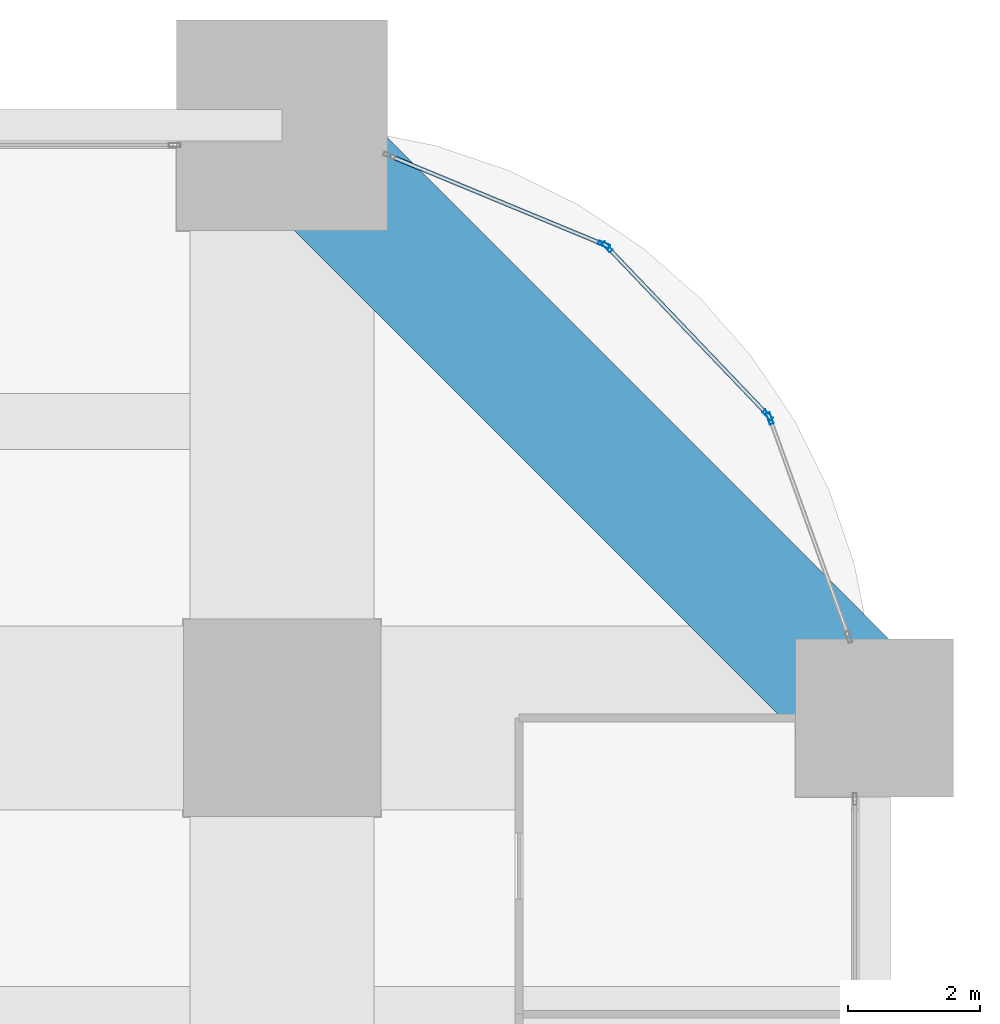
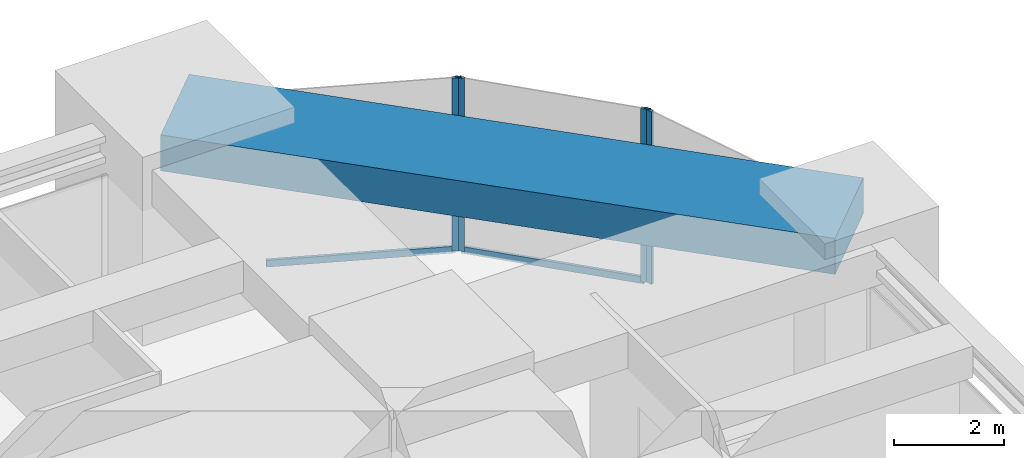
# One storey, part 36 of 42: 6 members, 1 beam, 3 elements without a shape of their own.
"""IFC4 building model written with IfcOpenShell, lengths in metres."""

from ifc_helpers import new_model, si_unit, direction, frame, origin, origin_2d, place, context, subcontext, project, spatial, rectangle, hollow_rectangle, extrude, material, material_profile, profile_set, type_object, element, aggregate, save


model = new_model("IFC4")

# Units and contexts
model_context = context("Model", 3, precision=1e-05, world=origin(), true_north=direction((0.0, 1.0)))
body_context = subcontext(model_context, "Body", "Model", "MODEL_VIEW")
ifc_project = project(units=[si_unit("LENGTHUNIT", "METRE"), si_unit("AREAUNIT", "SQUARE_METRE"), si_unit("VOLUMEUNIT", "CUBIC_METRE"), si_unit("PLANEANGLEUNIT", "RADIAN"), si_unit("MASSUNIT", "GRAM", prefix="KILO")], contexts=[model_context])

# Site, building, storey
site_placement = place(None, origin())
site = spatial("IfcSite", under=ifc_project, at=site_placement, CompositionType="ELEMENT")
building_placement = place(site_placement, origin())
building = spatial("IfcBuilding", under=site, at=building_placement, Name="Zorevar Civic Tower", CompositionType="ELEMENT")
storey_placement = place(building_placement, frame((0.0, 0.0, 75.800048828125)))
storey = spatial("IfcBuildingStorey", under=building, at=storey_placement, Name="L18", CompositionType="ELEMENT", Elevation=75.800048828125)

# Curtain wall, member
ifc_material_1 = material(Name="Dark grey solar-control glass in black aluminium frame", Category="aluminium")
curtain_wall_type = type_object("IfcCurtainWallType", Name="Curtain wall CW2 low zone", PredefinedType="NOTDEFINED", material=ifc_material_1)
curtain_wall_1_placement = place(storey_placement, origin())
curtain_wall_1 = element("IfcCurtainWall", 1, at=curtain_wall_1_placement, inside=storey, type_object=curtain_wall_type, Name="CW2 L18", PredefinedType="NOTDEFINED")
ifc_material_2 = material(Name="Aluminium, black anodised", Category="aluminium")
ifc_material_profile_1 = material_profile(ifc_material_2, hollow_rectangle(XDim=0.06005859375, YDim=0.179931640625, WallThickness=0.00390625, at=origin_2d()), Name="AL 180x60x4")
ifc_profile_set_1 = profile_set([ifc_material_profile_1], Name="Aluminium, black anodised")
member_type_1 = type_object("IfcMemberType", Name="CW2 mullion AL 180x60x4", PredefinedType="MULLION", material=ifc_profile_set_1)
member_1_placement = place(storey_placement, frame((61.407958984375, 49.55029296875, 0.0), z_axis=(0.0, 0.0, 1.0), x_axis=(-0.940636829761, -0.339414723454, 0.0)))
member_1 = element("IfcMember", 2, at=member_1_placement, type_object=member_type_1, Name="CW2 mullion 2", PredefinedType="MULLION", context=body_context, shape_type="SweptSolid", body=[
    extrude(hollow_rectangle(XDim=0.06005859375, YDim=0.179931640625, WallThickness=0.00390625, at=origin_2d()), origin(), (0.0, 0.0, 1.0), 3.849853515625),
])
aggregate(curtain_wall_1, [member_1])

# Curtain wall, members
curtain_wall_2_placement = place(storey_placement, origin())
curtain_wall_2 = element("IfcCurtainWall", 3, at=curtain_wall_2_placement, inside=storey, type_object=curtain_wall_type, Name="CW2 L18", PredefinedType="NOTDEFINED")
member_2_placement = place(storey_placement, frame((61.376953125, 49.60009765625, 0.0), z_axis=(0.0, 0.0, 1.0), x_axis=(-0.723392628671, -0.690436894136, 0.0)))
member_2 = element("IfcMember", 4, at=member_2_placement, type_object=member_type_1, Name="CW2 mullion 1", PredefinedType="MULLION", context=body_context, shape_type="SweptSolid", body=[
    extrude(hollow_rectangle(XDim=0.06005859375, YDim=0.179931640625, WallThickness=0.00390625, at=origin_2d()), origin(), (0.0, 0.0, 1.0), 3.849853515625),
])
member_3_placement = place(storey_placement, frame((58.938720703125, 52.15478515625, 0.0), z_axis=(0.0, 0.0, 1.0), x_axis=(-0.723392628671, -0.690436894136, 0.0)))
member_3 = element("IfcMember", 5, at=member_3_placement, type_object=member_type_1, Name="CW2 mullion 2", PredefinedType="MULLION", context=body_context, shape_type="SweptSolid", body=[
    extrude(hollow_rectangle(XDim=0.06005859375, YDim=0.179931640625, WallThickness=0.00390625, at=origin_2d()), origin(), (0.0, 0.0, 1.0), 3.849853515625),
])

# Curtain wall, member
curtain_wall_3_placement = place(storey_placement, origin())
curtain_wall_3 = element("IfcCurtainWall", 6, at=curtain_wall_3_placement, inside=storey, type_object=curtain_wall_type, Name="CW2 L18", PredefinedType="NOTDEFINED")
member_4_placement = place(storey_placement, frame((58.890380859375, 52.18798828125, 0.0), z_axis=(0.0, 0.0, 1.0), x_axis=(-0.382841193399, -0.92381416997, 0.0)))
member_4 = element("IfcMember", 7, at=member_4_placement, type_object=member_type_1, Name="CW2 mullion 1", PredefinedType="MULLION", context=body_context, shape_type="SweptSolid", body=[
    extrude(hollow_rectangle(XDim=0.06005859375, YDim=0.179931640625, WallThickness=0.00390625, at=origin_2d()), origin(), (0.0, 0.0, 1.0), 3.849853515625),
])

# Member
ifc_material_3 = material(Name="Aluminium, black anodised", Category="aluminium")
ifc_material_profile_2 = material_profile(ifc_material_3, hollow_rectangle(XDim=0.06005859375, YDim=0.14990234375, WallThickness=0.00390625, at=origin_2d()), Name="AL 150x60x4")
ifc_profile_set_2 = profile_set([ifc_material_profile_2], Name="Aluminium, black anodised")
member_type_2 = type_object("IfcMemberType", Name="CW2 transom AL 150x60x4", PredefinedType="USERDEFINED", material=ifc_profile_set_2)
member_5_placement = place(storey_placement, frame((61.3564453125, 49.621826171875, 0.030029296875), z_axis=(-0.690459020354, 0.723371509815, 0.0), x_axis=(-0.723371509815, -0.690459020354, 0.0)))
member_5 = element("IfcMember", 8, at=member_5_placement, type_object=member_type_2, Name="CW2 sill transom", ObjectType="TRANSOM", PredefinedType="USERDEFINED", context=body_context, shape_type="SweptSolid", body=[
    extrude(hollow_rectangle(XDim=0.06005859375, YDim=0.14990234375, WallThickness=0.00390625, at=origin_2d()), origin(), (0.0, 0.0, 1.0), 3.4716796875),
])

aggregate(curtain_wall_2, [member_2, member_3, member_5])

member_6_placement = place(storey_placement, frame((58.862548828125, 52.199462890625, 0.030029296875), z_axis=(-0.923807642827, 0.382856943328, 0.0), x_axis=(-0.382856943328, -0.923807642827, 0.0)))
member_6 = element("IfcMember", 9, at=member_6_placement, type_object=member_type_2, Name="CW2 sill transom", ObjectType="TRANSOM", PredefinedType="USERDEFINED", context=body_context, shape_type="SweptSolid", body=[
    extrude(hollow_rectangle(XDim=0.06005859375, YDim=0.14990234375, WallThickness=0.00390625, at=origin_2d()), origin(), (0.0, 0.0, 1.0), 3.471435546875),
])

aggregate(curtain_wall_3, [member_4, member_6])

# Beam
ifc_material_4 = material(Name="Concrete C50/60", Category="concrete")
ifc_material_profile_3 = material_profile(ifc_material_4, rectangle(XDim=2.0, YDim=0.800048828125, at=origin_2d()), Name="RC 2000x800")
ifc_profile_set_3 = profile_set([ifc_material_profile_3], Name="Concrete C50/60")
beam_type = type_object("IfcBeamType", Name="Edge beam RC 2000x800", PredefinedType="SPANDREL", material=ifc_profile_set_3)
beam_placement = place(storey_placement, frame((63.0, 45.0, 3.449951171875), z_axis=(-0.707106781187, 0.707106781187, 0.0), x_axis=(-0.707106781187, -0.707106781187, 0.0)))
element("IfcBeam", 10, at=beam_placement, inside=storey, type_object=beam_type, Name="Corner edge beam L19", PredefinedType="SPANDREL", context=body_context, shape_type="SweptSolid", body=[
    extrude(rectangle(XDim=2.0, YDim=0.800048828125, at=origin_2d()), origin(), (0.0, 0.0, 1.0), 12.72802734375),
])

save(model, "model.ifc")
